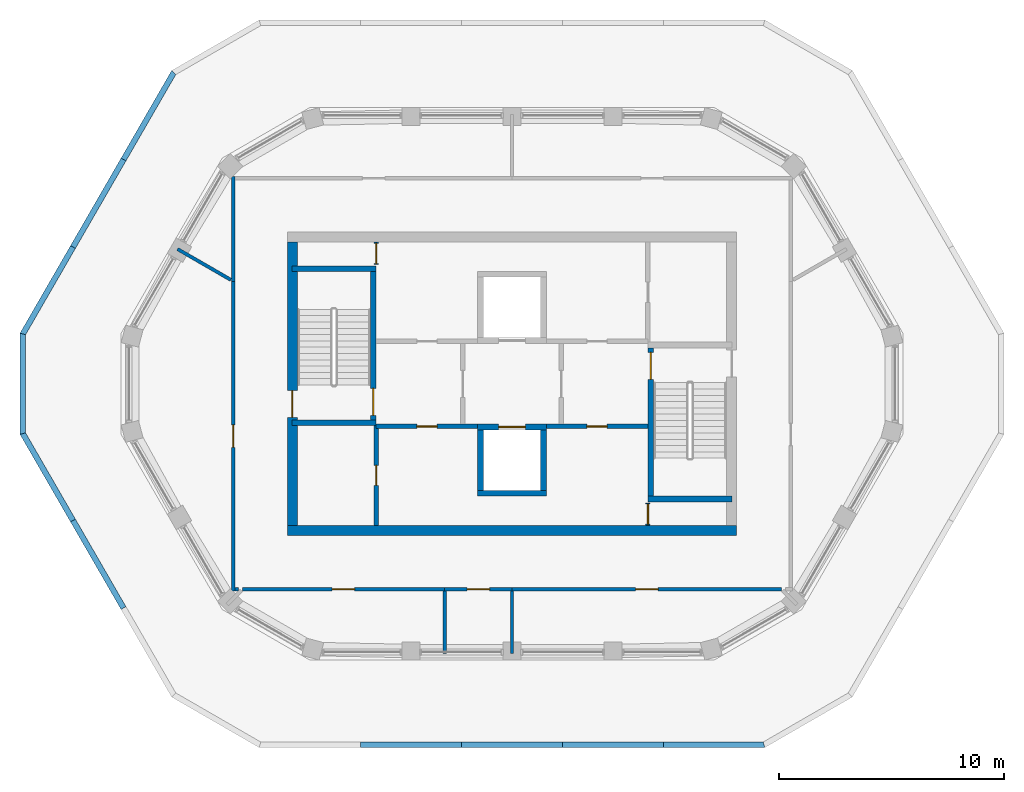
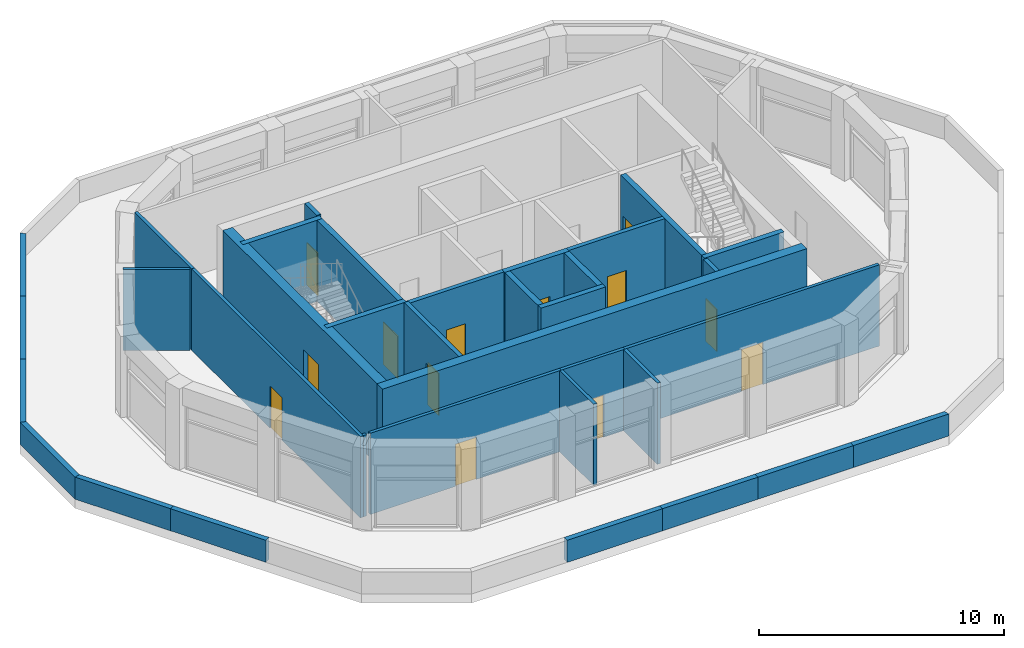
# One storey, part 5 of 8: 35 walls, 13 doors, 13 openings.
"""IFC4 building model written with IfcOpenShell, lengths in metres."""

from ifc_helpers import new_model, si_unit, direction, frame, frame_2d, origin, place, context, subcontext, project, spatial, polyline, rectangle, outline, extrude, material, layer, layer_set, type_object, element, fill, save


model = new_model("IFC4")

# Units and contexts
model_context = context("Model", 3, precision=1e-05, world=origin(), true_north=direction((0.0, 1.0)))
body_context = subcontext(model_context, "Body", "Model", "MODEL_VIEW")
ifc_project = project(units=[si_unit("LENGTHUNIT", "METRE"), si_unit("AREAUNIT", "SQUARE_METRE"), si_unit("VOLUMEUNIT", "CUBIC_METRE"), si_unit("PLANEANGLEUNIT", "RADIAN"), si_unit("MASSUNIT", "GRAM", prefix="KILO")], contexts=[model_context])

# Site, building, storey
site_placement = place(None, origin())
site = spatial("IfcSite", under=ifc_project, at=site_placement, CompositionType="ELEMENT")
building_placement = place(site_placement, origin())
building = spatial("IfcBuilding", under=site, at=building_placement, Name="Dhurran Vertical Campus", CompositionType="ELEMENT")
storey_placement = place(building_placement, frame((0.0, 0.0, 323.39990234375)))
storey = spatial("IfcBuildingStorey", under=building, at=storey_placement, Name="L79 Plant", CompositionType="ELEMENT", Elevation=323.39990234375)

# Walls
ifc_material_1 = material(Name="Precast concrete C50/60", Category="concrete")
ifc_layer_1 = layer(ifc_material_1, 0.25)
ifc_layer_set_1 = layer_set([ifc_layer_1], Name="Precast concrete C50/60")
wall_type_1 = type_object("IfcWallType", Name="Precast parapet 250", PredefinedType="PARAPET", material=ifc_layer_set_1)
wall_1_placement = place(storey_placement, origin())
element("IfcWall", 1, at=wall_1_placement, inside=storey, type_object=wall_type_1, Name="PW1 L79.01", PredefinedType="PARAPET", context=body_context, shape_type="SweptSolid", body=[
    extrude(outline(polyline([(-6.75, -16.19140625), (-2.25, -16.19140625), (-2.25, -15.94140625), (-6.75, -15.94140625), (-6.75, -16.19140625)])), origin(), (0.0, 0.0, 1.0), 1.10009765625),
])
wall_2_placement = place(storey_placement, origin())
element("IfcWall", 2, at=wall_2_placement, inside=storey, type_object=wall_type_1, Name="PW1 L79.02", PredefinedType="PARAPET", context=body_context, shape_type="SweptSolid", body=[
    extrude(outline(polyline([(-2.25, -16.19140625), (2.25, -16.19140625), (2.25, -15.94140625), (-2.25, -15.94140625), (-2.25, -16.19140625)])), origin(), (0.0, 0.0, 1.0), 1.10009765625),
])
wall_3_placement = place(storey_placement, origin())
element("IfcWall", 3, at=wall_3_placement, inside=storey, type_object=wall_type_1, Name="PW1 L79.03", PredefinedType="PARAPET", context=body_context, shape_type="SweptSolid", body=[
    extrude(outline(polyline([(2.25, -16.19140625), (6.75, -16.19140625), (6.75, -15.94140625), (2.25, -15.94140625), (2.25, -16.19140625)])), origin(), (0.0, 0.0, 1.0), 1.10009765625),
])
wall_4_placement = place(storey_placement, origin())
element("IfcWall", 4, at=wall_4_placement, inside=storey, type_object=wall_type_1, Name="PW1 L79.04", PredefinedType="PARAPET", context=body_context, shape_type="SweptSolid", body=[
    extrude(outline(polyline([(6.75, -16.19140625), (11.25, -16.19140625), (11.18310546875, -15.94140625), (6.75, -15.94140625), (6.75, -16.19140625)])), origin(), (0.0, 0.0, 1.0), 1.10009765625),
])
wall_5_placement = place(storey_placement, origin())
element("IfcWall", 5, at=wall_5_placement, inside=storey, type_object=wall_type_1, Name="PW1 L79.20", PredefinedType="PARAPET", context=body_context, shape_type="SweptSolid", body=[
    extrude(outline(polyline([(-15.147216796875, 13.94140625), (-17.397216796875, 10.044189453125), (-17.1806640625, 9.919189453125), (-14.964111328125, 13.75830078125), (-15.147216796875, 13.94140625)])), origin(), (0.0, 0.0, 1.0), 1.10009765625),
])
wall_6_placement = place(storey_placement, origin())
element("IfcWall", 6, at=wall_6_placement, inside=storey, type_object=wall_type_1, Name="PW1 L79.21", PredefinedType="PARAPET", context=body_context, shape_type="SweptSolid", body=[
    extrude(outline(polyline([(-17.397216796875, 10.044189453125), (-19.647216796875, 6.147216796875), (-19.4306640625, 6.022216796875), (-17.1806640625, 9.919189453125), (-17.397216796875, 10.044189453125)])), origin(), (0.0, 0.0, 1.0), 1.10009765625),
])
wall_7_placement = place(storey_placement, origin())
element("IfcWall", 7, at=wall_7_placement, inside=storey, type_object=wall_type_1, Name="PW1 L79.22", PredefinedType="PARAPET", context=body_context, shape_type="SweptSolid", body=[
    extrude(outline(polyline([(-19.647216796875, 6.147216796875), (-21.897216796875, 2.25), (-21.647216796875, 2.18310546875), (-19.4306640625, 6.022216796875), (-19.647216796875, 6.147216796875)])), origin(), (0.0, 0.0, 1.0), 1.10009765625),
])
wall_8_placement = place(storey_placement, origin())
element("IfcWall", 8, at=wall_8_placement, inside=storey, type_object=wall_type_1, Name="PW1 L79.23", PredefinedType="PARAPET", context=body_context, shape_type="SweptSolid", body=[
    extrude(outline(polyline([(-21.897216796875, 2.25), (-21.897216796875, -2.25), (-21.647216796875, -2.18310546875), (-21.647216796875, 2.18310546875), (-21.897216796875, 2.25)])), origin(), (0.0, 0.0, 1.0), 1.10009765625),
])
wall_9_placement = place(storey_placement, origin())
element("IfcWall", 9, at=wall_9_placement, inside=storey, type_object=wall_type_1, Name="PW1 L79.24", PredefinedType="PARAPET", context=body_context, shape_type="SweptSolid", body=[
    extrude(outline(polyline([(-21.897216796875, -2.25), (-19.647216796875, -6.147216796875), (-19.4306640625, -6.022216796875), (-21.647216796875, -2.18310546875), (-21.897216796875, -2.25)])), origin(), (0.0, 0.0, 1.0), 1.10009765625),
])
wall_10_placement = place(storey_placement, origin())
element("IfcWall", 10, at=wall_10_placement, inside=storey, type_object=wall_type_1, Name="PW1 L79.25", PredefinedType="PARAPET", context=body_context, shape_type="SweptSolid", body=[
    extrude(outline(polyline([(-19.647216796875, -6.147216796875), (-17.397216796875, -10.044189453125), (-17.1806640625, -9.919189453125), (-19.4306640625, -6.022216796875), (-19.647216796875, -6.147216796875)])), origin(), (0.0, 0.0, 1.0), 1.10009765625),
])
ifc_material_2 = material(Name="Concrete C50/60", Category="concrete")
ifc_layer_2 = layer(ifc_material_2, 0.449951171875)
ifc_layer_set_2 = layer_set([ifc_layer_2], Name="Concrete C50/60")
wall_type_2 = type_object("IfcWallType", Name="co-CORE-WALL-C4-450", PredefinedType="SHEAR", material=ifc_layer_set_2)
wall_11_placement = place(storey_placement, frame((-10.0, -6.52490234375, 0.0), z_axis=(0.0, 0.0, 1.0), x_axis=(1.0, 0.0, 0.0)))
element("IfcWall", 11, at=wall_11_placement, inside=storey, type_object=wall_type_2, Name="Core wall S L79", PredefinedType="SHEAR", context=body_context, shape_type="SweptSolid", body=[
    extrude(rectangle(XDim=20.0, YDim=0.449951171875, at=frame_2d((10.0, 0.0))), origin(), (0.0, 0.0, 1.0), 4.050048828125),
])

# Wall, opening, door
wall_12_placement = place(storey_placement, frame((-9.77490234375, -6.300048828125, 0.0), z_axis=(0.0, 0.0, 1.0), x_axis=(0.0, 1.0, 0.0)))
wall_12 = element("IfcWall", 12, at=wall_12_placement, inside=storey, type_object=wall_type_2, Name="Core wall W L79", PredefinedType="SHEAR", context=body_context, shape_type="SweptSolid", body=[
    extrude(rectangle(XDim=12.60009765625, YDim=0.449951171875, at=frame_2d((6.300048828125, 0.0))), origin(), (0.0, 0.0, 1.0), 4.050048828125),
])
opening_1_placement = place(wall_12_placement, frame((4.800048828125, 0.0, 0.0)))
opening_1 = element("IfcOpeningElement", 13, at=opening_1_placement, cuts=wall_12, Name="Opening XD5", PredefinedType="OPENING", context=body_context, shape_type="SweptSolid", body=[
    extrude(rectangle(XDim=1.199951171875, YDim=2.10009765625, at=frame_2d((0.60009765625, 1.050048828125))), frame((0.0, 0.23486328125, 0.0), z_axis=(0.0, -1.0, 0.0), x_axis=(1.0, 0.0, 0.0)), (0.0, 0.0, 1.0), 0.469970703125),
])
ifc_material_3 = material(Name="Fire-rated steel door set", Category="steel")
door_type_1 = type_object("IfcDoorType", Name="co-D-STAIR-EXIT 1200x2100", OperationType="SINGLE_SWING_RIGHT", PredefinedType="DOOR", material=ifc_material_3)
door_1_placement = place(opening_1_placement, origin())
door_1 = element("IfcDoor", 14, at=door_1_placement, inside=storey, type_object=door_type_1, Name="Stair ST5 exit door L79", OperationType="SINGLE_SWING_RIGHT", OverallHeight=2.10009765625, OverallWidth=1.199951171875, PredefinedType="DOOR", context=body_context, shape_type="SweptSolid", body=[
    extrude(rectangle(XDim=1.199951171875, YDim=2.10009765625, at=frame_2d((0.60009765625, 1.050048828125))), frame((0.0, 0.02490234375, 0.0), z_axis=(0.0, -1.0, 0.0), x_axis=(1.0, 0.0, 0.0)), (0.0, 0.0, 1.0), 0.050048828125),
])
fill(opening_1, door_1)

ifc_material_4 = material(Name="Fire-rated masonry blockwork", Category="masonry")
ifc_layer_3 = layer(ifc_material_4, 0.199951171875)
ifc_layer_set_3 = layer_set([ifc_layer_3], Name="Fire-rated masonry blockwork")
wall_type_3 = type_object("IfcWallType", Name="co-FIRE-PARTITION-200", PredefinedType="PARTITIONING", material=ifc_layer_set_3)
wall_13_placement = place(storey_placement, frame((-6.050048828125, -1.89990234375, 0.0), z_axis=(0.0, 0.0, 1.0), x_axis=(1.0, 0.0, 0.0)))
wall_13 = element("IfcWall", 15, at=wall_13_placement, inside=storey, type_object=wall_type_3, Name="Core partition swa-f L79", PredefinedType="PARTITIONING", context=body_context, shape_type="SweptSolid", body=[
    extrude(rectangle(XDim=4.525146484375, YDim=0.199951171875, at=frame_2d((2.2626953125, 0.0))), origin(), (0.0, 0.0, 1.0), 4.050048828125),
])
opening_2_placement = place(wall_13_placement, frame((1.8125, 0.0, 0.0)))
opening_2 = element("IfcOpeningElement", 16, at=opening_2_placement, cuts=wall_13, Name="Opening CR79-C2", PredefinedType="OPENING", context=body_context, shape_type="SweptSolid", body=[
    extrude(rectangle(XDim=0.89990234375, YDim=2.10009765625, at=frame_2d((0.449951171875, 1.050048828125))), frame((0.0, 0.10986328125, 0.0), z_axis=(0.0, -1.0, 0.0), x_axis=(1.0, 0.0, 0.0)), (0.0, 0.0, 1.0), 0.219970703125),
])
ifc_material_5 = material(Name="Fire-rated timber door set", Category="wood")
door_type_2 = type_object("IfcDoorType", Name="co-D-ROOM 900x2100", OperationType="SINGLE_SWING_LEFT", PredefinedType="DOOR", material=ifc_material_5)
door_2_placement = place(opening_2_placement, origin())
door_2 = element("IfcDoor", 17, at=door_2_placement, inside=storey, type_object=door_type_2, Name="swa door L79", OperationType="SINGLE_SWING_LEFT", OverallHeight=2.10009765625, OverallWidth=0.89990234375, PredefinedType="DOOR", context=body_context, shape_type="SweptSolid", body=[
    extrude(rectangle(XDim=0.89990234375, YDim=2.10009765625, at=frame_2d((0.449951171875, 1.050048828125))), frame((0.0, 0.02490234375, 0.0), z_axis=(0.0, -1.0, 0.0), x_axis=(1.0, 0.0, 0.0)), (0.0, 0.0, 1.0), 0.050048828125),
])
fill(opening_2, door_2)

wall_14_placement = place(storey_placement, frame((1.52490234375, -1.89990234375, 0.0), z_axis=(0.0, 0.0, 1.0), x_axis=(1.0, 0.0, 0.0)))
wall_14 = element("IfcWall", 18, at=wall_14_placement, inside=storey, type_object=wall_type_3, Name="Core partition sea-f L79", PredefinedType="PARTITIONING", context=body_context, shape_type="SweptSolid", body=[
    extrude(rectangle(XDim=4.525146484375, YDim=0.199951171875, at=frame_2d((2.2626953125, 0.0))), origin(), (0.0, 0.0, 1.0), 4.050048828125),
])
opening_3_placement = place(wall_14_placement, frame((1.8125, 0.0, 0.0)))
opening_3 = element("IfcOpeningElement", 19, at=opening_3_placement, cuts=wall_14, Name="Opening CR79-C4", PredefinedType="OPENING", context=body_context, shape_type="SweptSolid", body=[
    extrude(rectangle(XDim=0.89990234375, YDim=2.10009765625, at=frame_2d((0.449951171875, 1.050048828125))), frame((0.0, 0.10986328125, 0.0), z_axis=(0.0, -1.0, 0.0), x_axis=(1.0, 0.0, 0.0)), (0.0, 0.0, 1.0), 0.219970703125),
])
door_3_placement = place(opening_3_placement, origin())
door_3 = element("IfcDoor", 20, at=door_3_placement, inside=storey, type_object=door_type_2, Name="sea door L79", OperationType="SINGLE_SWING_LEFT", OverallHeight=2.10009765625, OverallWidth=0.89990234375, PredefinedType="DOOR", context=body_context, shape_type="SweptSolid", body=[
    extrude(rectangle(XDim=0.89990234375, YDim=2.10009765625, at=frame_2d((0.449951171875, 1.050048828125))), frame((0.0, 0.02490234375, 0.0), z_axis=(0.0, -1.0, 0.0), x_axis=(1.0, 0.0, 0.0)), (0.0, 0.0, 1.0), 0.050048828125),
])
fill(opening_3, door_3)

wall_15_placement = place(storey_placement, frame((-6.050048828125, 5.300048828125, 0.0), z_axis=(0.0, 0.0, 1.0), x_axis=(0.0, 1.0, 0.0)))
wall_15 = element("IfcWall", 21, at=wall_15_placement, inside=storey, type_object=wall_type_3, Name="Core partition bwn-d L79", PredefinedType="PARTITIONING", context=body_context, shape_type="SweptSolid", body=[
    extrude(rectangle(XDim=1.0, YDim=0.199951171875, at=frame_2d((0.5, 0.0))), origin(), (0.0, 0.0, 1.0), 4.050048828125),
])
opening_4_placement = place(wall_15_placement, frame((0.050048828125, 0.0, 0.0)))
opening_4 = element("IfcOpeningElement", 22, at=opening_4_placement, cuts=wall_15, Name="Opening CR79-C5", PredefinedType="OPENING", context=body_context, shape_type="SweptSolid", body=[
    extrude(rectangle(XDim=0.89990234375, YDim=2.10009765625, at=frame_2d((0.449951171875, 1.050048828125))), frame((0.0, 0.10986328125, 0.0), z_axis=(0.0, -1.0, 0.0), x_axis=(1.0, 0.0, 0.0)), (0.0, 0.0, 1.0), 0.219970703125),
])
door_4_placement = place(opening_4_placement, origin())
door_4 = element("IfcDoor", 23, at=door_4_placement, inside=storey, type_object=door_type_2, Name="Plant room door L79", OperationType="SINGLE_SWING_LEFT", OverallHeight=2.10009765625, OverallWidth=0.89990234375, PredefinedType="DOOR", context=body_context, shape_type="SweptSolid", body=[
    extrude(rectangle(XDim=0.89990234375, YDim=2.10009765625, at=frame_2d((0.449951171875, 1.050048828125))), frame((0.0, 0.02490234375, 0.0), z_axis=(0.0, -1.0, 0.0), x_axis=(1.0, 0.0, 0.0)), (0.0, 0.0, 1.0), 0.050048828125),
])
fill(opening_4, door_4)

wall_16_placement = place(storey_placement, frame((-6.050048828125, -6.300048828125, 0.0), z_axis=(0.0, 0.0, 1.0), x_axis=(0.0, 1.0, 0.0)))
wall_16 = element("IfcWall", 24, at=wall_16_placement, inside=storey, type_object=wall_type_3, Name="Core partition bws-d L79", PredefinedType="PARTITIONING", context=body_context, shape_type="SweptSolid", body=[
    extrude(rectangle(XDim=4.449951171875, YDim=0.199951171875, at=frame_2d((2.22509765625, 0.0))), origin(), (0.0, 0.0, 1.0), 4.050048828125),
])
opening_5_placement = place(wall_16_placement, frame((1.77490234375, 0.0, 0.0)))
opening_5 = element("IfcOpeningElement", 25, at=opening_5_placement, cuts=wall_16, Name="Opening CR79-C6", PredefinedType="OPENING", context=body_context, shape_type="SweptSolid", body=[
    extrude(rectangle(XDim=0.89990234375, YDim=2.10009765625, at=frame_2d((0.449951171875, 1.050048828125))), frame((0.0, 0.10986328125, 0.0), z_axis=(0.0, -1.0, 0.0), x_axis=(1.0, 0.0, 0.0)), (0.0, 0.0, 1.0), 0.219970703125),
])
door_5_placement = place(opening_5_placement, origin())
door_5 = element("IfcDoor", 26, at=door_5_placement, inside=storey, type_object=door_type_2, Name="Plant room door L79", OperationType="SINGLE_SWING_LEFT", OverallHeight=2.10009765625, OverallWidth=0.89990234375, PredefinedType="DOOR", context=body_context, shape_type="SweptSolid", body=[
    extrude(rectangle(XDim=0.89990234375, YDim=2.10009765625, at=frame_2d((0.449951171875, 1.050048828125))), frame((0.0, 0.02490234375, 0.0), z_axis=(0.0, -1.0, 0.0), x_axis=(1.0, 0.0, 0.0)), (0.0, 0.0, 1.0), 0.050048828125),
])
fill(opening_5, door_5)

wall_17_placement = place(storey_placement, frame((6.050048828125, -6.300048828125, 0.0), z_axis=(0.0, 0.0, 1.0), x_axis=(0.0, 1.0, 0.0)))
wall_17 = element("IfcWall", 27, at=wall_17_placement, inside=storey, type_object=wall_type_3, Name="Core partition bes-d L79", PredefinedType="PARTITIONING", context=body_context, shape_type="SweptSolid", body=[
    extrude(rectangle(XDim=1.0, YDim=0.199951171875, at=frame_2d((0.5, 0.0))), origin(), (0.0, 0.0, 1.0), 4.050048828125),
])
opening_6_placement = place(wall_17_placement, frame((0.050048828125, 0.0, 0.0)))
opening_6 = element("IfcOpeningElement", 28, at=opening_6_placement, cuts=wall_17, Name="Opening CR79-C8", PredefinedType="OPENING", context=body_context, shape_type="SweptSolid", body=[
    extrude(rectangle(XDim=0.89990234375, YDim=2.10009765625, at=frame_2d((0.449951171875, 1.050048828125))), frame((0.0, 0.10986328125, 0.0), z_axis=(0.0, -1.0, 0.0), x_axis=(1.0, 0.0, 0.0)), (0.0, 0.0, 1.0), 0.219970703125),
])
door_6_placement = place(opening_6_placement, origin())
door_6 = element("IfcDoor", 29, at=door_6_placement, inside=storey, type_object=door_type_2, Name="Plant room door L79", OperationType="SINGLE_SWING_LEFT", OverallHeight=2.10009765625, OverallWidth=0.89990234375, PredefinedType="DOOR", context=body_context, shape_type="SweptSolid", body=[
    extrude(rectangle(XDim=0.89990234375, YDim=2.10009765625, at=frame_2d((0.449951171875, 1.050048828125))), frame((0.0, 0.02490234375, 0.0), z_axis=(0.0, -1.0, 0.0), x_axis=(1.0, 0.0, 0.0)), (0.0, 0.0, 1.0), 0.050048828125),
])
fill(opening_6, door_6)

ifc_material_6 = material(Name="Concrete C50/60", Category="concrete")
ifc_layer_4 = layer(ifc_material_6, 0.25)
ifc_layer_set_4 = layer_set([ifc_layer_4], Name="Concrete C50/60")
wall_type_4 = type_object("IfcWallType", Name="co-SHAFT-FRONT-250", PredefinedType="SHEAR", material=ifc_layer_set_4)
wall_18_placement = place(storey_placement, frame((-1.52490234375, -1.925048828125, 0.0), z_axis=(0.0, 0.0, 1.0), x_axis=(1.0, 0.0, 0.0)))
wall_18 = element("IfcWall", 30, at=wall_18_placement, inside=storey, type_object=wall_type_4, Name="Lift landing wall S L79", PredefinedType="SHEAR", context=body_context, shape_type="SweptSolid", body=[
    extrude(rectangle(XDim=3.0498046875, YDim=0.25, at=frame_2d((1.52490234375, 0.0))), origin(), (0.0, 0.0, 1.0), 4.050048828125),
])
opening_7_placement = place(wall_18_placement, frame((0.925048828125, 0.0, 0.0)))
opening_7 = element("IfcOpeningElement", 31, at=opening_7_placement, cuts=wall_18, Name="Opening LD", PredefinedType="OPENING", context=body_context, shape_type="SweptSolid", body=[
    extrude(rectangle(XDim=1.199951171875, YDim=2.10009765625, at=frame_2d((0.60009765625, 1.050048828125))), frame((0.0, 0.135009765625, 0.0), z_axis=(0.0, -1.0, 0.0), x_axis=(1.0, 0.0, 0.0)), (0.0, 0.0, 1.0), 0.27001953125),
])
ifc_material_7 = material(Name="Stainless steel landing door", Category="steel")
door_type_3 = type_object("IfcDoorType", Name="co-D-LANDING 1200x2100", OperationType="DOUBLE_DOOR_SLIDING", PredefinedType="DOOR", material=ifc_material_7)
door_7_placement = place(opening_7_placement, origin())
door_7 = element("IfcDoor", 32, at=door_7_placement, inside=storey, type_object=door_type_3, Name="Landing door FF2 L79", OperationType="DOUBLE_DOOR_SLIDING", OverallHeight=2.10009765625, OverallWidth=1.199951171875, PredefinedType="DOOR", context=body_context, shape_type="SweptSolid", body=[
    extrude(rectangle(XDim=1.199951171875, YDim=2.10009765625, at=frame_2d((0.60009765625, 1.050048828125))), frame((0.0, 0.02490234375, 0.0), z_axis=(0.0, -1.0, 0.0), x_axis=(1.0, 0.0, 0.0)), (0.0, 0.0, 1.0), 0.050048828125),
])
fill(opening_7, door_7)

# Walls
ifc_material_8 = material(Name="Concrete C50/60", Category="concrete")
ifc_layer_5 = layer(ifc_material_8, 0.25)
ifc_layer_set_5 = layer_set([ifc_layer_5], Name="Concrete C50/60")
wall_type_5 = type_object("IfcWallType", Name="co-SHAFT-MASS-250", PredefinedType="SHEAR", material=ifc_layer_set_5)
wall_19_placement = place(storey_placement, origin())
element("IfcWall", 33, at=wall_19_placement, inside=storey, type_object=wall_type_5, Name="Lift shaft wall S L79 1", PredefinedType="SHEAR", context=body_context, shape_type="SweptSolid", body=[
    extrude(outline(polyline([(-1.52490234375, -5.0), (1.52490234375, -5.0), (1.52490234375, -4.75), (-1.52490234375, -4.75), (-1.52490234375, -5.0)])), origin(), (0.0, 0.0, 1.0), 4.050048828125),
])
wall_20_placement = place(storey_placement, origin())
element("IfcWall", 34, at=wall_20_placement, inside=storey, type_object=wall_type_5, Name="Lift shaft wall S L79 2", PredefinedType="SHEAR", context=body_context, shape_type="SweptSolid", body=[
    extrude(outline(polyline([(-1.52490234375, -4.75), (-1.27490234375, -4.75), (-1.27490234375, -2.050048828125), (-1.52490234375, -2.050048828125), (-1.52490234375, -4.75)])), origin(), (0.0, 0.0, 1.0), 4.050048828125),
])
wall_21_placement = place(storey_placement, origin())
element("IfcWall", 35, at=wall_21_placement, inside=storey, type_object=wall_type_5, Name="Lift shaft wall S L79 3", PredefinedType="SHEAR", context=body_context, shape_type="SweptSolid", body=[
    extrude(outline(polyline([(1.27490234375, -4.75), (1.52490234375, -4.75), (1.52490234375, -2.050048828125), (1.27490234375, -2.050048828125), (1.27490234375, -4.75)])), origin(), (0.0, 0.0, 1.0), 4.050048828125),
])
ifc_material_9 = material(Name="Concrete C40/50", Category="concrete")
ifc_layer_6 = layer(ifc_material_9, 0.25)
ifc_layer_set_6 = layer_set([ifc_layer_6], Name="Concrete C40/50")
wall_type_6 = type_object("IfcWallType", Name="co-STAIR-WALL-250", PredefinedType="SHEAR", material=ifc_layer_set_6)
for number, where, z_axis, x_axis, name in (
    (36, (-9.800048828125, -1.72509765625, 0.0), (0.0, 0.0, 1.0), (1.0, 0.0, 0.0), "Stair ST5 enclosure wall L79"),
    (37, (-9.800048828125, 5.125, 0.0), (0.0, 0.0, 1.0), (1.0, 0.0, 0.0), "Stair ST5 enclosure wall L79"),
):
    element("IfcWall", number, at=place(storey_placement, frame(where, z_axis=z_axis, x_axis=x_axis)), inside=storey, type_object=wall_type_6, Name=name, PredefinedType="SHEAR", context=body_context, shape_type="SweptSolid", body=[
        extrude(rectangle(XDim=3.75, YDim=0.25, at=frame_2d((1.875, 0.0))), origin(), (0.0, 0.0, 1.0), 4.050048828125),
    ])

# Wall, opening, door
wall_22_placement = place(storey_placement, frame((-6.175048828125, -1.60009765625, 0.0), z_axis=(0.0, 0.0, 1.0), x_axis=(0.0, 1.0, 0.0)))
wall_22 = element("IfcWall", 38, at=wall_22_placement, inside=storey, type_object=wall_type_6, Name="Stair ST5 enclosure wall L79", PredefinedType="SHEAR", context=body_context, shape_type="SweptSolid", body=[
    extrude(rectangle(XDim=6.60009765625, YDim=0.25, at=frame_2d((3.300048828125, 0.0))), origin(), (0.0, 0.0, 1.0), 4.050048828125),
])
opening_8_placement = place(wall_22_placement, frame((0.199951171875, 0.0, 0.0)))
opening_8 = element("IfcOpeningElement", 39, at=opening_8_placement, cuts=wall_22, Name="Opening SD5", PredefinedType="OPENING", context=body_context, shape_type="SweptSolid", body=[
    extrude(rectangle(XDim=1.199951171875, YDim=2.10009765625, at=frame_2d((0.60009765625, 1.050048828125))), frame((0.0, 0.135009765625, 0.0), z_axis=(0.0, -1.0, 0.0), x_axis=(1.0, 0.0, 0.0)), (0.0, 0.0, 1.0), 0.27001953125),
])
ifc_material_10 = material(Name="Fire-rated steel door set", Category="steel")
door_type_4 = type_object("IfcDoorType", Name="co-D-STAIR 1200x2100", OperationType="SINGLE_SWING_LEFT", PredefinedType="DOOR", material=ifc_material_10)
door_8_placement = place(opening_8_placement, origin())
door_8 = element("IfcDoor", 40, at=door_8_placement, inside=storey, type_object=door_type_4, Name="Stair ST5 door L79", OperationType="SINGLE_SWING_LEFT", OverallHeight=2.10009765625, OverallWidth=1.199951171875, PredefinedType="DOOR", context=body_context, shape_type="SweptSolid", body=[
    extrude(rectangle(XDim=1.199951171875, YDim=2.10009765625, at=frame_2d((0.60009765625, 1.050048828125))), frame((0.0, 0.02490234375, 0.0), z_axis=(0.0, -1.0, 0.0), x_axis=(1.0, 0.0, 0.0)), (0.0, 0.0, 1.0), 0.050048828125),
])
fill(opening_8, door_8)

# Wall
wall_23_placement = place(storey_placement, frame((6.050048828125, -5.125, 0.0), z_axis=(0.0, 0.0, 1.0), x_axis=(1.0, 0.0, 0.0)))
element("IfcWall", 41, at=wall_23_placement, inside=storey, type_object=wall_type_6, Name="Stair ST6 enclosure wall L79", PredefinedType="SHEAR", context=body_context, shape_type="SweptSolid", body=[
    extrude(rectangle(XDim=3.75, YDim=0.25, at=frame_2d((1.875, 0.0))), origin(), (0.0, 0.0, 1.0), 4.050048828125),
])

# Wall, opening, door
wall_24_placement = place(storey_placement, frame((6.175048828125, -5.0, 0.0), z_axis=(0.0, 0.0, 1.0), x_axis=(0.0, 1.0, 0.0)))
wall_24 = element("IfcWall", 42, at=wall_24_placement, inside=storey, type_object=wall_type_6, Name="Stair ST6 enclosure wall L79", PredefinedType="SHEAR", context=body_context, shape_type="SweptSolid", body=[
    extrude(rectangle(XDim=6.60009765625, YDim=0.25, at=frame_2d((3.300048828125, 0.0))), origin(), (0.0, 0.0, 1.0), 4.050048828125),
])
opening_9_placement = place(wall_24_placement, frame((5.199951171875, 0.0, 0.0)))
opening_9 = element("IfcOpeningElement", 43, at=opening_9_placement, cuts=wall_24, Name="Opening SD6", PredefinedType="OPENING", context=body_context, shape_type="SweptSolid", body=[
    extrude(rectangle(XDim=1.199951171875, YDim=2.10009765625, at=frame_2d((0.60009765625, 1.050048828125))), frame((0.0, 0.135009765625, 0.0), z_axis=(0.0, -1.0, 0.0), x_axis=(1.0, 0.0, 0.0)), (0.0, 0.0, 1.0), 0.27001953125),
])
door_9_placement = place(opening_9_placement, origin())
door_9 = element("IfcDoor", 44, at=door_9_placement, inside=storey, type_object=door_type_4, Name="Stair ST6 door L79", OperationType="SINGLE_SWING_LEFT", OverallHeight=2.10009765625, OverallWidth=1.199951171875, PredefinedType="DOOR", context=body_context, shape_type="SweptSolid", body=[
    extrude(rectangle(XDim=1.199951171875, YDim=2.10009765625, at=frame_2d((0.60009765625, 1.050048828125))), frame((0.0, 0.02490234375, 0.0), z_axis=(0.0, -1.0, 0.0), x_axis=(1.0, 0.0, 0.0)), (0.0, 0.0, 1.0), 0.050048828125),
])
fill(opening_9, door_9)

ifc_material_11 = material(Name="Gypsum board corridor wall on steel studs", Category="steel")
ifc_layer_7 = layer(ifc_material_11, 0.14990234375)
ifc_layer_set_7 = layer_set([ifc_layer_7], Name="Gypsum board corridor wall on steel studs")
wall_type_7 = type_object("IfcWallType", Name="fl-CW-150 corridor wall", PredefinedType="PARTITIONING", material=ifc_layer_set_7)
wall_25_placement = place(storey_placement, frame((-12.39990234375, 4.56103515625, 0.0), z_axis=(0.0, 0.0, 1.0), x_axis=(0.0, -1.0, 0.0)))
wall_25 = element("IfcWall", 45, at=wall_25_placement, inside=storey, type_object=wall_type_7, Name="Partition 79-03", PredefinedType="PARTITIONING", context=body_context, shape_type="SweptSolid", body=[
    extrude(rectangle(XDim=13.7861328125, YDim=0.14990234375, at=frame_2d((6.89306640625, 0.0))), origin(), (0.0, 0.0, 1.0), 4.050048828125),
])
opening_10_placement = place(wall_25_placement, frame((6.39306640625, 0.0, 0.0)))
opening_10 = element("IfcOpeningElement", 46, at=opening_10_placement, cuts=wall_25, Name="Opening CR79.01", PredefinedType="OPENING", context=body_context, shape_type="SweptSolid", body=[
    extrude(rectangle(XDim=1.0, YDim=2.10009765625, at=frame_2d((0.5, 1.050048828125))), frame((0.0, 0.0849609375, 0.0), z_axis=(0.0, -1.0, 0.0), x_axis=(1.0, 0.0, 0.0)), (0.0, 0.0, 1.0), 0.169921875),
])
ifc_material_12 = material(Name="Solid-core timber door set, fire-rated", Category="wood")
door_type_5 = type_object("IfcDoorType", Name="fl-D-1000x2100", OperationType="SINGLE_SWING_LEFT", PredefinedType="DOOR", material=ifc_material_12)
door_10_placement = place(opening_10_placement, origin())
door_10 = element("IfcDoor", 47, at=door_10_placement, inside=storey, type_object=door_type_5, Name="Door 79.01", OperationType="SINGLE_SWING_RIGHT", OverallHeight=2.10009765625, OverallWidth=1.0, PredefinedType="DOOR", context=body_context, shape_type="SweptSolid", body=[
    extrude(rectangle(XDim=1.0, YDim=2.10009765625, at=frame_2d((0.5, 1.050048828125))), frame((0.0, 0.02490234375, 0.0), z_axis=(0.0, -1.0, 0.0), x_axis=(1.0, 0.0, 0.0)), (0.0, 0.0, 1.0), 0.050048828125),
])
fill(opening_10, door_10)

# Walls
wall_26_placement = place(storey_placement, frame((-12.324951171875, -9.14990234375, 0.0), z_axis=(0.0, 0.0, 1.0), x_axis=(1.0, 0.0, 0.0)))
element("IfcWall", 48, at=wall_26_placement, inside=storey, type_object=wall_type_7, Name="Partition 79-04", PredefinedType="PARTITIONING", context=body_context, shape_type="SweptSolid", body=[
    extrude(rectangle(XDim=0.14697265625, YDim=0.14990234375, at=frame_2d((0.073486328125, 0.0))), origin(), (0.0, 0.0, 1.0), 4.050048828125),
])
wall_27_placement = place(storey_placement, frame((-12.39990234375, 9.22509765625, 0.0), z_axis=(0.0, 0.0, 1.0), x_axis=(0.0, -1.0, 0.0)))
element("IfcWall", 49, at=wall_27_placement, inside=storey, type_object=wall_type_7, Name="Partition 79-05", PredefinedType="PARTITIONING", context=body_context, shape_type="SweptSolid", body=[
    extrude(rectangle(XDim=4.6640625, YDim=0.14990234375, at=frame_2d((2.33203125, 0.0))), origin(), (0.0, 0.0, 1.0), 4.050048828125),
])

# Wall, opening, door
wall_28_placement = place(storey_placement, frame((-12.0029296875, -9.14990234375, 0.0), z_axis=(0.0, 0.0, 1.0), x_axis=(1.0, 0.0, 0.0)))
wall_28 = element("IfcWall", 50, at=wall_28_placement, inside=storey, type_object=wall_type_7, Name="Partition 79-07", PredefinedType="PARTITIONING", context=body_context, shape_type="SweptSolid", body=[
    extrude(rectangle(XDim=9.0029296875, YDim=0.14990234375, at=frame_2d((4.50146484375, 0.0))), origin(), (0.0, 0.0, 1.0), 4.050048828125),
])
opening_11_placement = place(wall_28_placement, frame((4.00146484375, 0.0, 0.0)))
opening_11 = element("IfcOpeningElement", 51, at=opening_11_placement, cuts=wall_28, Name="Opening CR79.02", PredefinedType="OPENING", context=body_context, shape_type="SweptSolid", body=[
    extrude(rectangle(XDim=1.0, YDim=2.10009765625, at=frame_2d((0.5, 1.050048828125))), frame((0.0, 0.0849609375, 0.0), z_axis=(0.0, -1.0, 0.0), x_axis=(1.0, 0.0, 0.0)), (0.0, 0.0, 1.0), 0.169921875),
])
door_11_placement = place(opening_11_placement, origin())
door_11 = element("IfcDoor", 52, at=door_11_placement, inside=storey, type_object=door_type_5, Name="Door 79.02", OperationType="SINGLE_SWING_LEFT", OverallHeight=2.10009765625, OverallWidth=1.0, PredefinedType="DOOR", context=body_context, shape_type="SweptSolid", body=[
    extrude(rectangle(XDim=1.0, YDim=2.10009765625, at=frame_2d((0.5, 1.050048828125))), frame((0.0, 0.02490234375, 0.0), z_axis=(0.0, -1.0, 0.0), x_axis=(1.0, 0.0, 0.0)), (0.0, 0.0, 1.0), 0.050048828125),
])
fill(opening_11, door_11)

wall_29_placement = place(storey_placement, frame((-3.0, -9.14990234375, 0.0), z_axis=(0.0, 0.0, 1.0), x_axis=(1.0, 0.0, 0.0)))
wall_29 = element("IfcWall", 53, at=wall_29_placement, inside=storey, type_object=wall_type_7, Name="Partition 79-09", PredefinedType="PARTITIONING", context=body_context, shape_type="SweptSolid", body=[
    extrude(rectangle(XDim=3.0, YDim=0.14990234375, at=frame_2d((1.5, 0.0))), origin(), (0.0, 0.0, 1.0), 4.050048828125),
])
opening_12_placement = place(wall_29_placement, frame((1.0, 0.0, 0.0)))
opening_12 = element("IfcOpeningElement", 54, at=opening_12_placement, cuts=wall_29, Name="Opening CR79.04", PredefinedType="OPENING", context=body_context, shape_type="SweptSolid", body=[
    extrude(rectangle(XDim=1.0, YDim=2.10009765625, at=frame_2d((0.5, 1.050048828125))), frame((0.0, 0.0849609375, 0.0), z_axis=(0.0, -1.0, 0.0), x_axis=(1.0, 0.0, 0.0)), (0.0, 0.0, 1.0), 0.169921875),
])
door_12_placement = place(opening_12_placement, origin())
door_12 = element("IfcDoor", 55, at=door_12_placement, inside=storey, type_object=door_type_5, Name="Door 79.04", OperationType="SINGLE_SWING_RIGHT", OverallHeight=2.10009765625, OverallWidth=1.0, PredefinedType="DOOR", context=body_context, shape_type="SweptSolid", body=[
    extrude(rectangle(XDim=1.0, YDim=2.10009765625, at=frame_2d((0.5, 1.050048828125))), frame((0.0, 0.02490234375, 0.0), z_axis=(0.0, -1.0, 0.0), x_axis=(1.0, 0.0, 0.0)), (0.0, 0.0, 1.0), 0.050048828125),
])
fill(opening_12, door_12)

wall_30_placement = place(storey_placement, frame((0.0, -9.14990234375, 0.0), z_axis=(0.0, 0.0, 1.0), x_axis=(1.0, 0.0, 0.0)))
wall_30 = element("IfcWall", 56, at=wall_30_placement, inside=storey, type_object=wall_type_7, Name="Partition 79-11", PredefinedType="PARTITIONING", context=body_context, shape_type="SweptSolid", body=[
    extrude(rectangle(XDim=12.0029296875, YDim=0.14990234375, at=frame_2d((6.00146484375, 0.0))), origin(), (0.0, 0.0, 1.0), 4.050048828125),
])
opening_13_placement = place(wall_30_placement, frame((5.50146484375, 0.0, 0.0)))
opening_13 = element("IfcOpeningElement", 57, at=opening_13_placement, cuts=wall_30, Name="Opening CR79.05", PredefinedType="OPENING", context=body_context, shape_type="SweptSolid", body=[
    extrude(rectangle(XDim=1.0, YDim=2.10009765625, at=frame_2d((0.5, 1.050048828125))), frame((0.0, 0.0849609375, 0.0), z_axis=(0.0, -1.0, 0.0), x_axis=(1.0, 0.0, 0.0)), (0.0, 0.0, 1.0), 0.169921875),
])
door_13_placement = place(opening_13_placement, origin())
door_13 = element("IfcDoor", 58, at=door_13_placement, inside=storey, type_object=door_type_5, Name="Door 79.05", OperationType="SINGLE_SWING_LEFT", OverallHeight=2.10009765625, OverallWidth=1.0, PredefinedType="DOOR", context=body_context, shape_type="SweptSolid", body=[
    extrude(rectangle(XDim=1.0, YDim=2.10009765625, at=frame_2d((0.5, 1.050048828125))), frame((0.0, 0.02490234375, 0.0), z_axis=(0.0, -1.0, 0.0), x_axis=(1.0, 0.0, 0.0)), (0.0, 0.0, 1.0), 0.050048828125),
])
fill(opening_13, door_13)

# Walls
ifc_material_13 = material(Name="Gypsum board partition on steel studs", Category="steel")
ifc_layer_8 = layer(ifc_material_13, 0.14990234375)
ifc_layer_set_8 = layer_set([ifc_layer_8], Name="Gypsum board partition on steel studs")
wall_type_8 = type_object("IfcWallType", Name="fl-PW-150 fixed partition", PredefinedType="PARTITIONING", material=ifc_layer_set_8)
wall_31_placement = place(storey_placement, frame((-14.886962890625, 5.9970703125, 0.0), z_axis=(0.0, 0.0, 1.0), x_axis=(0.865976483427, -0.500084722974, 0.0)))
element("IfcWall", 59, at=wall_31_placement, inside=storey, type_object=wall_type_8, Name="Partition 79-01", PredefinedType="PARTITIONING", context=body_context, shape_type="SweptSolid", body=[
    extrude(rectangle(XDim=2.74169921875, YDim=0.14990234375, at=frame_2d((1.370849609375, 0.0))), origin(), (0.0, 0.0, 1.0), 4.050048828125),
])
for number, where, z_axis, x_axis, name in (
    (60, (-3.0, -9.22509765625, 0.0), (0.0, 0.0, 1.0), (0.0, -1.0, 0.0), "Partition 79-08"),
    (61, (0.0, -9.22509765625, 0.0), (0.0, 0.0, 1.0), (0.0, -1.0, 0.0), "Partition 79-10"),
):
    element("IfcWall", number, at=place(storey_placement, frame(where, z_axis=z_axis, x_axis=x_axis)), inside=storey, type_object=wall_type_8, Name=name, PredefinedType="PARTITIONING", context=body_context, shape_type="SweptSolid", body=[
        extrude(rectangle(XDim=2.768798828125, YDim=0.14990234375, at=frame_2d((1.38427734375, 0.0))), origin(), (0.0, 0.0, 1.0), 4.050048828125),
    ])

save(model, "model.ifc")
